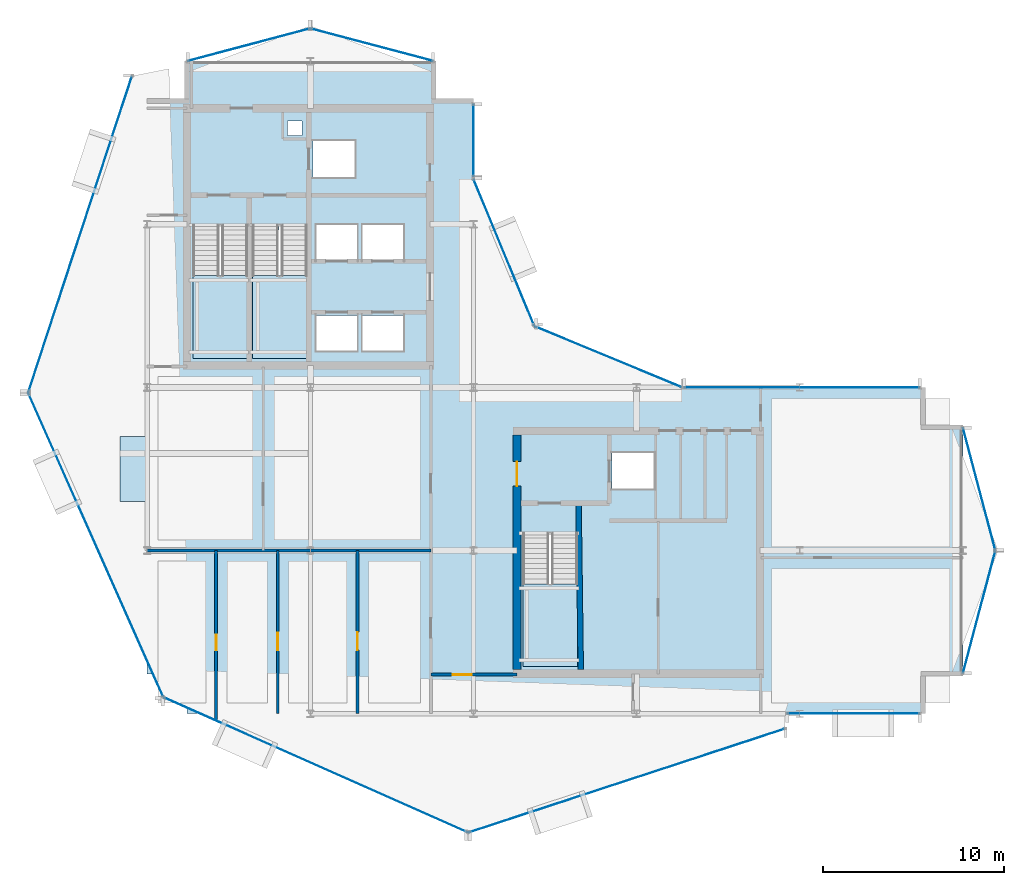
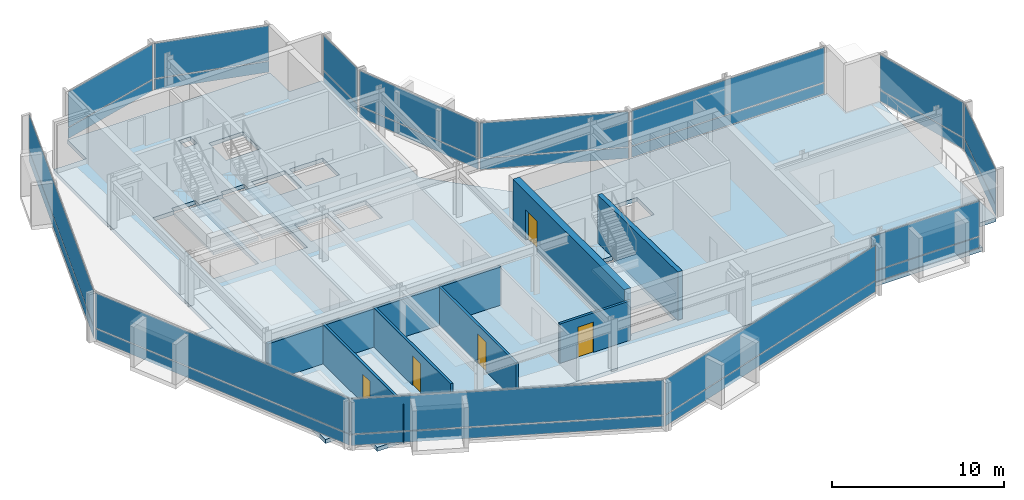
# One storey, part 19 of 27: 26 plates, 7 walls, 5 doors, 5 slabs, 5 openings, 16 elements without a shape of their own.
"""IFC4 building model written with IfcOpenShell, lengths in metres."""

from ifc_helpers import new_model, si_unit, direction, frame, frame_2d, origin, origin_2d, place, context, subcontext, project, spatial, polyline, rectangle, outline, extrude, material, layer, layer_set, type_object, element, fill, aggregate, save


model = new_model("IFC4")

# Units and contexts
model_context = context("Model", 3, precision=1e-05, world=origin(), true_north=direction((0.0, 1.0)))
body_context = subcontext(model_context, "Body", "Model", "MODEL_VIEW")
ifc_project = project(units=[si_unit("LENGTHUNIT", "METRE"), si_unit("AREAUNIT", "SQUARE_METRE"), si_unit("VOLUMEUNIT", "CUBIC_METRE"), si_unit("PLANEANGLEUNIT", "RADIAN"), si_unit("MASSUNIT", "GRAM", prefix="KILO")], contexts=[model_context])

# Site, building, storey
site_placement = place(None, origin())
site = spatial("IfcSite", under=ifc_project, at=site_placement, CompositionType="ELEMENT")
building_placement = place(site_placement, origin())
building = spatial("IfcBuilding", under=site, at=building_placement, Name="Solvaryn Broadcast Tower", CompositionType="ELEMENT")
storey_placement = place(building_placement, frame((0.0, 0.0, 224.699951171875)))
storey = spatial("IfcBuildingStorey", under=building, at=storey_placement, Name="L56", CompositionType="ELEMENT", Elevation=224.699951171875)

# Curtain wall, plates
ifc_material_1 = material(Name="Aluminium and Terracotta Unitised Curtain Wall", Category="masonry")
ifc_layer_1 = layer(ifc_material_1, 0.199951171875)
ifc_layer_set_1 = layer_set([ifc_layer_1], Name="CW-SYS2-LOWMID")
curtain_wall_type = type_object("IfcCurtainWallType", Name="CW-SYS2-LOWMID", PredefinedType="NOTDEFINED", material=ifc_layer_set_1)
curtain_wall_1_placement = place(storey_placement, origin())
curtain_wall_1 = element("IfcCurtainWall", 1, at=curtain_wall_1_placement, inside=storey, type_object=curtain_wall_type, Name="L56 Curtain Wall DR1", PredefinedType="NOTDEFINED")
ifc_material_2 = material(Name="Kiln-Fired Architectural Terracotta Spandrel", Category="masonry")
ifc_layer_2 = layer(ifc_material_2, 0.048095703125)
ifc_layer_set_2 = layer_set([ifc_layer_2], Name="CW-PNL-TERRACOTTA")
plate_type = type_object("IfcPlateType", Name="CW-PNL-TERRACOTTA", PredefinedType="CURTAIN_PANEL", material=ifc_layer_set_2)
plate_1_placement = place(storey_placement, frame((5.298095703125, 35.444091796875, 0.06005859375), z_axis=(0.0, 0.0, 1.0), x_axis=(-0.311558717623, -0.950226902099, 0.0)))
plate_1 = element("IfcPlate", 2, at=plate_1_placement, type_object=plate_type, Name="CWS2 panel 1.1", PredefinedType="CURTAIN_PANEL", context=body_context, shape_type="SweptSolid", body=[
    extrude(rectangle(XDim=18.271484375, YDim=0.028076171875, at=origin_2d()), origin(), (0.0, 0.0, 1.0), 0.760009765625),
])
plate_2_placement = place(storey_placement, frame((5.298095703125, 35.444091796875, 0.880126953125), z_axis=(0.0, 0.0, 1.0), x_axis=(-0.311558717623, -0.950226902099, 0.0)))
plate_2 = element("IfcPlate", 3, at=plate_2_placement, type_object=plate_type, Name="CWS2 panel 1.2", PredefinedType="CURTAIN_PANEL", context=body_context, shape_type="SweptSolid", body=[
    extrude(rectangle(XDim=18.271484375, YDim=0.028076171875, at=origin_2d()), origin(), (0.0, 0.0, 1.0), 2.47998046875),
])
aggregate(curtain_wall_1, [plate_1, plate_2])

curtain_wall_2_placement = place(storey_placement, origin())
curtain_wall_2 = element("IfcCurtainWall", 4, at=curtain_wall_2_placement, inside=storey, type_object=curtain_wall_type, Name="L56 Curtain Wall DR2", PredefinedType="NOTDEFINED")
plate_3_placement = place(storey_placement, frame((6.16552734375, 18.302001953125, 0.06005859375), z_axis=(0.0, 0.0, 1.0), x_axis=(0.405901337237, -0.913916902365, 0.0)))
plate_3 = element("IfcPlate", 5, at=plate_3_placement, type_object=plate_type, Name="CWS2 panel 1.1", PredefinedType="CURTAIN_PANEL", context=body_context, shape_type="SweptSolid", body=[
    extrude(rectangle(XDim=18.271240234375, YDim=0.028076171875, at=origin_2d()), origin(), (0.0, 0.0, 1.0), 0.760009765625),
])
plate_4_placement = place(storey_placement, frame((6.16552734375, 18.302001953125, 0.880126953125), z_axis=(0.0, 0.0, 1.0), x_axis=(0.405901337237, -0.913916902365, 0.0)))
plate_4 = element("IfcPlate", 6, at=plate_4_placement, type_object=plate_type, Name="CWS2 panel 1.2", PredefinedType="CURTAIN_PANEL", context=body_context, shape_type="SweptSolid", body=[
    extrude(rectangle(XDim=18.271240234375, YDim=0.028076171875, at=origin_2d()), origin(), (0.0, 0.0, 1.0), 2.47998046875),
])
aggregate(curtain_wall_2, [plate_3, plate_4])

curtain_wall_3_placement = place(storey_placement, origin())
curtain_wall_3 = element("IfcCurtainWall", 7, at=curtain_wall_3_placement, inside=storey, type_object=curtain_wall_type, Name="L56 Curtain Wall DR3", PredefinedType="NOTDEFINED")
plate_5_placement = place(storey_placement, frame((18.302001953125, 6.16552734375, 0.06005859375), z_axis=(0.0, 0.0, 1.0), x_axis=(0.913916902365, -0.405901337237, 0.0)))
plate_5 = element("IfcPlate", 8, at=plate_5_placement, type_object=plate_type, Name="CWS2 panel 1.1", PredefinedType="CURTAIN_PANEL", context=body_context, shape_type="SweptSolid", body=[
    extrude(rectangle(XDim=18.271240234375, YDim=0.028076171875, at=origin_2d()), origin(), (0.0, 0.0, 1.0), 0.760009765625),
])
plate_6_placement = place(storey_placement, frame((18.302001953125, 6.16552734375, 0.880126953125), z_axis=(0.0, 0.0, 1.0), x_axis=(0.913916902365, -0.405901337237, 0.0)))
plate_6 = element("IfcPlate", 9, at=plate_6_placement, type_object=plate_type, Name="CWS2 panel 1.2", PredefinedType="CURTAIN_PANEL", context=body_context, shape_type="SweptSolid", body=[
    extrude(rectangle(XDim=18.271240234375, YDim=0.028076171875, at=origin_2d()), origin(), (0.0, 0.0, 1.0), 2.47998046875),
])
aggregate(curtain_wall_3, [plate_5, plate_6])

curtain_wall_4_placement = place(storey_placement, origin())
curtain_wall_4 = element("IfcCurtainWall", 10, at=curtain_wall_4_placement, inside=storey, type_object=curtain_wall_type, Name="L56 Curtain Wall DR4", PredefinedType="NOTDEFINED")
plate_7_placement = place(storey_placement, frame((35.444091796875, 5.298095703125, 0.06005859375), z_axis=(0.0, 0.0, 1.0), x_axis=(0.950226902099, 0.311558717623, 0.0)))
plate_7 = element("IfcPlate", 11, at=plate_7_placement, type_object=plate_type, Name="CWS2 panel 1.1", PredefinedType="CURTAIN_PANEL", context=body_context, shape_type="SweptSolid", body=[
    extrude(rectangle(XDim=18.271484375, YDim=0.028076171875, at=origin_2d()), origin(), (0.0, 0.0, 1.0), 0.760009765625),
])
plate_8_placement = place(storey_placement, frame((35.444091796875, 5.298095703125, 0.880126953125), z_axis=(0.0, 0.0, 1.0), x_axis=(0.950226902099, 0.311558717623, 0.0)))
plate_8 = element("IfcPlate", 12, at=plate_8_placement, type_object=plate_type, Name="CWS2 panel 1.2", PredefinedType="CURTAIN_PANEL", context=body_context, shape_type="SweptSolid", body=[
    extrude(rectangle(XDim=18.271484375, YDim=0.028076171875, at=origin_2d()), origin(), (0.0, 0.0, 1.0), 2.47998046875),
])
aggregate(curtain_wall_4, [plate_7, plate_8])

curtain_wall_5_placement = place(storey_placement, origin())
curtain_wall_5 = element("IfcCurtainWall", 13, at=curtain_wall_5_placement, inside=storey, type_object=curtain_wall_type, Name="L56 Curtain Wall IV", PredefinedType="NOTDEFINED")
plate_9_placement = place(storey_placement, frame((27.0, 40.625, 0.06005859375), z_axis=(0.0, 0.0, 1.0), x_axis=(0.0, -1.0, 0.0)))
plate_9 = element("IfcPlate", 14, at=plate_9_placement, type_object=plate_type, Name="CWS2 panel 1.1", PredefinedType="CURTAIN_PANEL", context=body_context, shape_type="SweptSolid", body=[
    extrude(rectangle(XDim=3.929931640625, YDim=0.028076171875, at=origin_2d()), origin(), (0.0, 0.0, 1.0), 0.760009765625),
])
plate_10_placement = place(storey_placement, frame((27.0, 40.625, 0.880126953125), z_axis=(0.0, 0.0, 1.0), x_axis=(0.0, -1.0, 0.0)))
plate_10 = element("IfcPlate", 15, at=plate_10_placement, type_object=plate_type, Name="CWS2 panel 1.2", PredefinedType="CURTAIN_PANEL", context=body_context, shape_type="SweptSolid", body=[
    extrude(rectangle(XDim=3.929931640625, YDim=0.028076171875, at=origin_2d()), origin(), (0.0, 0.0, 1.0), 2.47998046875),
])
aggregate(curtain_wall_5, [plate_9, plate_10])

curtain_wall_6_placement = place(storey_placement, origin())
curtain_wall_6 = element("IfcCurtainWall", 16, at=curtain_wall_6_placement, inside=storey, type_object=curtain_wall_type, Name="L56 Curtain Wall CN1", PredefinedType="NOTDEFINED")
plate_11_placement = place(storey_placement, frame((34.43408203125, 28.68408203125, 0.06005859375), z_axis=(0.0, 0.0, 1.0), x_axis=(-0.923894983957, 0.382646127145, 0.0)))
plate_11 = element("IfcPlate", 17, at=plate_11_placement, type_object=plate_type, Name="CWS2 panel 1.1", PredefinedType="CURTAIN_PANEL", context=body_context, shape_type="SweptSolid", body=[
    extrude(rectangle(XDim=8.681884765625, YDim=0.028076171875, at=origin_2d()), origin(), (0.0, 0.0, 1.0), 0.760009765625),
])
plate_12_placement = place(storey_placement, frame((34.43408203125, 28.68408203125, 0.880126953125), z_axis=(0.0, 0.0, 1.0), x_axis=(-0.923894983957, 0.382646127145, 0.0)))
plate_12 = element("IfcPlate", 18, at=plate_12_placement, type_object=plate_type, Name="CWS2 panel 1.2", PredefinedType="CURTAIN_PANEL", context=body_context, shape_type="SweptSolid", body=[
    extrude(rectangle(XDim=8.681884765625, YDim=0.028076171875, at=origin_2d()), origin(), (0.0, 0.0, 1.0), 2.47998046875),
])
aggregate(curtain_wall_6, [plate_11, plate_12])

curtain_wall_7_placement = place(storey_placement, origin())
curtain_wall_7 = element("IfcCurtainWall", 19, at=curtain_wall_7_placement, inside=storey, type_object=curtain_wall_type, Name="L56 Curtain Wall CN2", PredefinedType="NOTDEFINED")
plate_13_placement = place(storey_placement, frame((28.68408203125, 34.43408203125, 0.06005859375), z_axis=(0.0, 0.0, 1.0), x_axis=(-0.382646127145, 0.923894983957, 0.0)))
plate_13 = element("IfcPlate", 20, at=plate_13_placement, type_object=plate_type, Name="CWS2 panel 1.1", PredefinedType="CURTAIN_PANEL", context=body_context, shape_type="SweptSolid", body=[
    extrude(rectangle(XDim=8.681884765625, YDim=0.028076171875, at=origin_2d()), origin(), (0.0, 0.0, 1.0), 0.760009765625),
])
plate_14_placement = place(storey_placement, frame((28.68408203125, 34.43408203125, 0.880126953125), z_axis=(0.0, 0.0, 1.0), x_axis=(-0.382646127145, 0.923894983957, 0.0)))
plate_14 = element("IfcPlate", 21, at=plate_14_placement, type_object=plate_type, Name="CWS2 panel 1.2", PredefinedType="CURTAIN_PANEL", context=body_context, shape_type="SweptSolid", body=[
    extrude(rectangle(XDim=8.681884765625, YDim=0.028076171875, at=origin_2d()), origin(), (0.0, 0.0, 1.0), 2.47998046875),
])
aggregate(curtain_wall_7, [plate_13, plate_14])

curtain_wall_8_placement = place(storey_placement, origin())
curtain_wall_8 = element("IfcCurtainWall", 22, at=curtain_wall_8_placement, inside=storey, type_object=curtain_wall_type, Name="L56 Curtain Wall S2", PredefinedType="NOTDEFINED")
plate_15_placement = place(storey_placement, frame((47.966064453125, 9.0, 0.06005859375), z_axis=(0.0, 0.0, 1.0), x_axis=(1.0, 0.0, 0.0)))
plate_15 = element("IfcPlate", 23, at=plate_15_placement, type_object=plate_type, Name="CWS2 panel 1.1", PredefinedType="CURTAIN_PANEL", context=body_context, shape_type="SweptSolid", body=[
    extrude(rectangle(XDim=7.248046875, YDim=0.028076171875, at=origin_2d()), origin(), (0.0, 0.0, 1.0), 0.760009765625),
])
plate_16_placement = place(storey_placement, frame((47.966064453125, 9.0, 0.880126953125), z_axis=(0.0, 0.0, 1.0), x_axis=(1.0, 0.0, 0.0)))
plate_16 = element("IfcPlate", 24, at=plate_16_placement, type_object=plate_type, Name="CWS2 panel 1.2", PredefinedType="CURTAIN_PANEL", context=body_context, shape_type="SweptSolid", body=[
    extrude(rectangle(XDim=7.248046875, YDim=0.028076171875, at=origin_2d()), origin(), (0.0, 0.0, 1.0), 2.47998046875),
])
aggregate(curtain_wall_8, [plate_15, plate_16])

curtain_wall_9_placement = place(storey_placement, origin())
curtain_wall_9 = element("IfcCurtainWall", 25, at=curtain_wall_9_placement, inside=storey, type_object=curtain_wall_type, Name="L56 Curtain Wall NT1", PredefinedType="NOTDEFINED")
plate_17_placement = place(storey_placement, frame((21.39990234375, 45.89990234375, 0.06005859375), z_axis=(0.0, 0.0, 1.0), x_axis=(-0.966705227863, 0.25589256031, 0.0)))
plate_17 = element("IfcPlate", 26, at=plate_17_placement, type_object=plate_type, Name="CWS2 panel 1.1", PredefinedType="CURTAIN_PANEL", context=body_context, shape_type="SweptSolid", body=[
    extrude(rectangle(XDim=6.914306640625, YDim=0.028076171875, at=origin_2d()), origin(), (0.0, 0.0, 1.0), 0.760009765625),
])
plate_18_placement = place(storey_placement, frame((21.39990234375, 45.89990234375, 0.880126953125), z_axis=(0.0, 0.0, 1.0), x_axis=(-0.966705227863, 0.25589256031, 0.0)))
plate_18 = element("IfcPlate", 27, at=plate_18_placement, type_object=plate_type, Name="CWS2 panel 1.2", PredefinedType="CURTAIN_PANEL", context=body_context, shape_type="SweptSolid", body=[
    extrude(rectangle(XDim=6.914306640625, YDim=0.028076171875, at=origin_2d()), origin(), (0.0, 0.0, 1.0), 2.47998046875),
])
aggregate(curtain_wall_9, [plate_17, plate_18])

curtain_wall_10_placement = place(storey_placement, origin())
curtain_wall_10 = element("IfcCurtainWall", 28, at=curtain_wall_10_placement, inside=storey, type_object=curtain_wall_type, Name="L56 Curtain Wall NT2", PredefinedType="NOTDEFINED")
plate_19_placement = place(storey_placement, frame((14.60009765625, 45.89990234375, 0.06005859375), z_axis=(0.0, 0.0, 1.0), x_axis=(-0.966705227863, -0.25589256031, 0.0)))
plate_19 = element("IfcPlate", 29, at=plate_19_placement, type_object=plate_type, Name="CWS2 panel 1.1", PredefinedType="CURTAIN_PANEL", context=body_context, shape_type="SweptSolid", body=[
    extrude(rectangle(XDim=6.914306640625, YDim=0.028076171875, at=origin_2d()), origin(), (0.0, 0.0, 1.0), 0.760009765625),
])
plate_20_placement = place(storey_placement, frame((14.60009765625, 45.89990234375, 0.880126953125), z_axis=(0.0, 0.0, 1.0), x_axis=(-0.966705227863, -0.25589256031, 0.0)))
plate_20 = element("IfcPlate", 30, at=plate_20_placement, type_object=plate_type, Name="CWS2 panel 1.2", PredefinedType="CURTAIN_PANEL", context=body_context, shape_type="SweptSolid", body=[
    extrude(rectangle(XDim=6.914306640625, YDim=0.028076171875, at=origin_2d()), origin(), (0.0, 0.0, 1.0), 2.47998046875),
])
aggregate(curtain_wall_10, [plate_19, plate_20])

curtain_wall_11_placement = place(storey_placement, origin())
curtain_wall_11 = element("IfcCurtainWall", 31, at=curtain_wall_11_placement, inside=storey, type_object=curtain_wall_type, Name="L56 Curtain Wall ET1", PredefinedType="NOTDEFINED")
plate_21_placement = place(storey_placement, frame((54.89990234375, 21.39990234375, 0.06005859375), z_axis=(0.0, 0.0, 1.0), x_axis=(0.25589256031, -0.966705227863, 0.0)))
plate_21 = element("IfcPlate", 32, at=plate_21_placement, type_object=plate_type, Name="CWS2 panel 1.1", PredefinedType="CURTAIN_PANEL", context=body_context, shape_type="SweptSolid", body=[
    extrude(rectangle(XDim=6.914306640625, YDim=0.028076171875, at=origin_2d()), origin(), (0.0, 0.0, 1.0), 0.760009765625),
])
plate_22_placement = place(storey_placement, frame((54.89990234375, 21.39990234375, 0.880126953125), z_axis=(0.0, 0.0, 1.0), x_axis=(0.25589256031, -0.966705227863, 0.0)))
plate_22 = element("IfcPlate", 33, at=plate_22_placement, type_object=plate_type, Name="CWS2 panel 1.2", PredefinedType="CURTAIN_PANEL", context=body_context, shape_type="SweptSolid", body=[
    extrude(rectangle(XDim=6.914306640625, YDim=0.028076171875, at=origin_2d()), origin(), (0.0, 0.0, 1.0), 2.47998046875),
])
aggregate(curtain_wall_11, [plate_21, plate_22])

curtain_wall_12_placement = place(storey_placement, origin())
curtain_wall_12 = element("IfcCurtainWall", 34, at=curtain_wall_12_placement, inside=storey, type_object=curtain_wall_type, Name="L56 Curtain Wall ET2", PredefinedType="NOTDEFINED")
plate_23_placement = place(storey_placement, frame((54.89990234375, 14.60009765625, 0.06005859375), z_axis=(0.0, 0.0, 1.0), x_axis=(-0.25589256031, -0.966705227863, 0.0)))
plate_23 = element("IfcPlate", 35, at=plate_23_placement, type_object=plate_type, Name="CWS2 panel 1.1", PredefinedType="CURTAIN_PANEL", context=body_context, shape_type="SweptSolid", body=[
    extrude(rectangle(XDim=6.914306640625, YDim=0.028076171875, at=origin_2d()), origin(), (0.0, 0.0, 1.0), 0.760009765625),
])
plate_24_placement = place(storey_placement, frame((54.89990234375, 14.60009765625, 0.880126953125), z_axis=(0.0, 0.0, 1.0), x_axis=(-0.25589256031, -0.966705227863, 0.0)))
plate_24 = element("IfcPlate", 36, at=plate_24_placement, type_object=plate_type, Name="CWS2 panel 1.2", PredefinedType="CURTAIN_PANEL", context=body_context, shape_type="SweptSolid", body=[
    extrude(rectangle(XDim=6.914306640625, YDim=0.028076171875, at=origin_2d()), origin(), (0.0, 0.0, 1.0), 2.47998046875),
])
aggregate(curtain_wall_12, [plate_23, plate_24])

curtain_wall_13_placement = place(storey_placement, origin())
curtain_wall_13 = element("IfcCurtainWall", 37, at=curtain_wall_13_placement, inside=storey, type_object=curtain_wall_type, Name="L56 Curtain Wall IH", PredefinedType="NOTDEFINED")
plate_25_placement = place(storey_placement, frame((45.125, 27.0, 0.06005859375), z_axis=(0.0, 0.0, 1.0), x_axis=(1.0, 0.0, 0.0)))
plate_25 = element("IfcPlate", 38, at=plate_25_placement, type_object=plate_type, Name="CWS2 panel 1.1", PredefinedType="CURTAIN_PANEL", context=body_context, shape_type="SweptSolid", body=[
    extrude(rectangle(XDim=12.929931640625, YDim=0.028076171875, at=origin_2d()), origin(), (0.0, 0.0, 1.0), 0.760009765625),
])
plate_26_placement = place(storey_placement, frame((45.125, 27.0, 0.880126953125), z_axis=(0.0, 0.0, 1.0), x_axis=(1.0, 0.0, 0.0)))
plate_26 = element("IfcPlate", 39, at=plate_26_placement, type_object=plate_type, Name="CWS2 panel 1.2", PredefinedType="CURTAIN_PANEL", context=body_context, shape_type="SweptSolid", body=[
    extrude(rectangle(XDim=12.929931640625, YDim=0.028076171875, at=origin_2d()), origin(), (0.0, 0.0, 1.0), 2.47998046875),
])
aggregate(curtain_wall_13, [plate_25, plate_26])

# Slab
ifc_material_3 = material(Name="Concrete f'c 60 MPa", Category="concrete")
ifc_layer_3 = layer(ifc_material_3, 0.2099609375)
ifc_layer_set_3 = layer_set([ifc_layer_3], Name="SL-BAYBOX-210")
slab_type_1 = type_object("IfcSlabType", Name="SL-BAYBOX-210", PredefinedType="FLOOR", material=ifc_layer_set_3)
slab_1_placement = place(storey_placement, frame((0.0, 0.0, -0.2099609375)))
element("IfcSlab", 40, at=slab_1_placement, inside=storey, type_object=slab_type_1, Name="L56 Projecting Bay-Box Slab 1", PredefinedType="FLOOR", context=body_context, shape_type="SweptSolid", body=[
    extrude(outline(polyline([(7.5, 20.699951171875), (9.0, 20.699951171875), (9.0, 24.300048828125), (7.5, 24.300048828125), (7.5, 20.699951171875)])), origin(), (0.0, 0.0, 1.0), 0.2099609375),
])

# Stair, slab
ifc_material_4 = material(Name="Concrete f'c 60 MPa", Category="concrete")
stair_type = type_object("IfcStairType", Name="ST-CORE", PredefinedType="HALF_TURN_STAIR", material=ifc_material_4)
stair_1_placement = place(storey_placement, origin())
stair_1 = element("IfcStair", 41, at=stair_1_placement, inside=storey, type_object=stair_type, Name="L56 ST1", PredefinedType="HALF_TURN_STAIR")
ifc_material_5 = material(Name="Concrete f'c 60 MPa", Category="concrete")
ifc_layer_4 = layer(ifc_material_5, 0.199951171875)
ifc_layer_set_4 = layer_set([ifc_layer_4], Name="SL-LANDING-200")
slab_type_2 = type_object("IfcSlabType", Name="SL-LANDING-200", PredefinedType="LANDING", material=ifc_layer_set_4)
slab_2_placement = place(storey_placement, frame((0.0, 0.0, 1.650146484375)))
slab_2 = element("IfcSlab", 42, at=slab_2_placement, type_object=slab_type_2, Name="ST1 landing 1", PredefinedType="LANDING", context=body_context, shape_type="SweptSolid", body=[
    extrude(outline(polyline([(11.52001953125, 33.159912109375), (11.52001953125, 28.60009765625), (14.550048828125, 28.60009765625), (14.550048828125, 33.159912109375), (11.52001953125, 33.159912109375)])), origin(), (0.0, 0.0, 1.0), 0.199951171875),
])
aggregate(stair_1, [slab_2])

stair_2_placement = place(storey_placement, origin())
stair_2 = element("IfcStair", 43, at=stair_2_placement, inside=storey, type_object=stair_type, Name="L56 ST2", PredefinedType="HALF_TURN_STAIR")
slab_3_placement = place(storey_placement, frame((0.0, 0.0, 1.650146484375)))
slab_3 = element("IfcSlab", 44, at=slab_3_placement, type_object=slab_type_2, Name="ST2 landing 1", PredefinedType="LANDING", context=body_context, shape_type="SweptSolid", body=[
    extrude(outline(polyline([(14.800048828125, 33.159912109375), (14.800048828125, 28.60009765625), (17.830078125, 28.60009765625), (17.830078125, 33.159912109375), (14.800048828125, 33.159912109375)])), origin(), (0.0, 0.0, 1.0), 0.199951171875),
])
aggregate(stair_2, [slab_3])

stair_3_placement = place(storey_placement, origin())
stair_3 = element("IfcStair", 45, at=stair_3_placement, inside=storey, type_object=stair_type, Name="L56 ST3", PredefinedType="HALF_TURN_STAIR")
slab_4_placement = place(storey_placement, frame((0.0, 0.0, 1.650146484375)))
slab_4 = element("IfcSlab", 46, at=slab_4_placement, type_object=slab_type_2, Name="ST3 landing 1", PredefinedType="LANDING", context=body_context, shape_type="SweptSolid", body=[
    extrude(outline(polyline([(29.719970703125, 16.159912109375), (29.719970703125, 11.60009765625), (32.75, 11.60009765625), (32.75, 16.159912109375), (29.719970703125, 16.159912109375)])), origin(), (0.0, 0.0, 1.0), 0.199951171875),
])
aggregate(stair_3, [slab_4])

# Slab
ifc_material_6 = material(Name="Concrete f'c 60 MPa", Category="concrete")
ifc_layer_5 = layer(ifc_material_6, 0.280029296875)
ifc_layer_set_5 = layer_set([ifc_layer_5], Name="SL-TWR-280")
slab_type_3 = type_object("IfcSlabType", Name="SL-TWR-280", PredefinedType="FLOOR", material=ifc_layer_set_5)
slab_5_placement = place(storey_placement, frame((0.0, 0.0, -0.280029296875)))
element("IfcSlab", 47, at=slab_5_placement, inside=storey, type_object=slab_type_3, Name="L56 Structural Floor Slab", PredefinedType="FLOOR", context=body_context, shape_type="SweptSolid", body=[
    extrude(outline(polyline([(11.199951171875, 9.0), (51.800048828125, 9.0), (51.800048828125, 11.199951171875), (54.0, 11.199951171875), (54.0, 24.800048828125), (51.800048828125, 24.800048828125), (51.800048828125, 27.0), (31.5, 27.0), (27.0, 31.5), (27.0, 42.800048828125), (24.800048828125, 42.800048828125), (24.800048828125, 45.0), (11.199951171875, 45.0), (11.199951171875, 42.800048828125), (9.0, 42.800048828125), (9.0, 11.199951171875), (11.199951171875, 11.199951171875), (11.199951171875, 9.0)]), holes=[polyline([(11.52001953125, 28.60009765625), (14.550048828125, 28.60009765625), (14.550048828125, 35.9599609375), (12.97998046875, 35.9599609375), (12.97998046875, 35.679931640625), (11.52001953125, 35.679931640625), (11.52001953125, 28.60009765625)]), polyline([(14.800048828125, 28.60009765625), (17.830078125, 28.60009765625), (17.830078125, 35.9599609375), (16.260009765625, 35.9599609375), (16.260009765625, 35.679931640625), (14.800048828125, 35.679931640625), (14.800048828125, 28.60009765625)]), polyline([(29.719970703125, 11.60009765625), (32.75, 11.60009765625), (32.75, 18.9599609375), (31.179931640625, 18.9599609375), (31.179931640625, 18.679931640625), (29.719970703125, 18.679931640625), (29.719970703125, 11.60009765625)]), polyline([(18.14990234375, 38.60009765625), (20.449951171875, 38.60009765625), (20.449951171875, 40.60009765625), (18.14990234375, 40.60009765625), (18.14990234375, 38.60009765625)]), polyline([(18.324951171875, 29.02490234375), (20.574951171875, 29.02490234375), (20.574951171875, 30.97509765625), (18.324951171875, 30.97509765625), (18.324951171875, 29.02490234375)]), polyline([(20.875, 29.02490234375), (23.125, 29.02490234375), (23.125, 30.97509765625), (20.875, 30.97509765625), (20.875, 29.02490234375)]), polyline([(18.324951171875, 34.02490234375), (20.574951171875, 34.02490234375), (20.574951171875, 35.97509765625), (18.324951171875, 35.97509765625), (18.324951171875, 34.02490234375)]), polyline([(20.875, 34.02490234375), (23.125, 34.02490234375), (23.125, 35.97509765625), (20.875, 35.97509765625), (20.875, 34.02490234375)]), polyline([(34.64990234375, 21.39990234375), (36.949951171875, 21.39990234375), (36.949951171875, 23.39990234375), (34.64990234375, 23.39990234375), (34.64990234375, 21.39990234375)]), polyline([(16.75, 40.89990234375), (17.550048828125, 40.89990234375), (17.550048828125, 41.699951171875), (16.75, 41.699951171875), (16.75, 40.89990234375)])]), origin(), (0.0, 0.0, 1.0), 0.280029296875),
])

# Wall, opening, door
ifc_material_7 = material(Name="Concrete f'c 70 MPa", Category="concrete")
ifc_layer_6 = layer(ifc_material_7, 0.449951171875)
ifc_layer_set_6 = layer_set([ifc_layer_6], Name="CW-SHEAR-450")
wall_type_1 = type_object("IfcWallType", Name="CW-SHEAR-450", PredefinedType="SHEAR", material=ifc_layer_set_6)
wall_1_placement = place(storey_placement, frame((29.39990234375, 24.375, 0.0), z_axis=(0.0, 0.0, 1.0), x_axis=(0.0, -1.0, 0.0)))
wall_1 = element("IfcWall", 48, at=wall_1_placement, inside=storey, type_object=wall_type_1, Name="L56 East Core West Shear Wall", PredefinedType="SHEAR", context=body_context, shape_type="SweptSolid", body=[
    extrude(rectangle(XDim=12.949951171875, YDim=0.449951171875, at=frame_2d((6.47509765625, 0.0))), origin(), (0.0, 0.0, 1.0), 3.420166015625),
])
opening_1_placement = place(wall_1_placement, frame((1.47509765625, 0.0, 0.0)))
opening_1 = element("IfcOpeningElement", 49, at=opening_1_placement, cuts=wall_1, Name="Opening FD90B", PredefinedType="OPENING", context=body_context, shape_type="SweptSolid", body=[
    extrude(rectangle(XDim=1.35009765625, YDim=2.14990234375, at=frame_2d((0.675048828125, 1.074951171875))), frame((0.0, 0.235107421875, 0.0), z_axis=(0.0, -1.0, 0.0), x_axis=(1.0, 0.0, 0.0)), (0.0, 0.0, 1.0), 0.469970703125),
])
ifc_material_8 = material(Name="Flush Acoustic Steel and Timber Door Assembly", Category="steel")
door_type_1 = type_object("IfcDoorType", Name="FD90-LOBBY-1350X2150", OperationType="NOTDEFINED", PredefinedType="DOOR", material=ifc_material_8)
door_1_placement = place(opening_1_placement, origin())
door_1 = element("IfcDoor", 50, at=door_1_placement, inside=storey, type_object=door_type_1, Name="L56 East FSAE Lobby Door", OperationType="SINGLE_SWING_RIGHT", OverallHeight=2.14990234375, OverallWidth=1.35009765625, PredefinedType="DOOR", context=body_context, shape_type="SweptSolid", body=[
    extrude(rectangle(XDim=1.35009765625, YDim=2.14990234375, at=frame_2d((0.675048828125, 1.074951171875))), frame((0.0, 0.02490234375, 0.0), z_axis=(0.0, -1.0, 0.0), x_axis=(1.0, 0.0, 0.0)), (0.0, 0.0, 1.0), 0.050048828125),
])
fill(opening_1, door_1)

ifc_material_9 = material(Name="Metal-Stud Gypsum Office Partition")
ifc_layer_7 = layer(ifc_material_9, 0.159912109375)
ifc_layer_set_7 = layer_set([ifc_layer_7], Name="IW-PART-160")
wall_type_2 = type_object("IfcWallType", Name="IW-PART-160", PredefinedType="PARTITIONING", material=ifc_layer_set_7)
wall_2_placement = place(storey_placement, frame((12.800048828125, 8.60888671875, 0.0), z_axis=(0.0, 0.0, 1.0), x_axis=(0.0, 1.0, 0.0)))
wall_2 = element("IfcWall", 51, at=wall_2_placement, inside=storey, type_object=wall_type_2, Name="L56 Interior Partition IW-L56-SWS-V1", PredefinedType="PARTITIONING", context=body_context, shape_type="SweptSolid", body=[
    extrude(rectangle(XDim=9.39111328125, YDim=0.159912109375, at=frame_2d((4.695556640625, 0.0))), origin(), (0.0, 0.0, 1.0), 2.7890625),
])
opening_2_placement = place(wall_2_placement, frame((3.89111328125, 0.0, 0.0)))
opening_2 = element("IfcOpeningElement", 52, at=opening_2_placement, cuts=wall_2, Name="Opening ID07", PredefinedType="OPENING", context=body_context, shape_type="SweptSolid", body=[
    extrude(rectangle(XDim=0.860107421875, YDim=2.050048828125, at=frame_2d((0.43017578125, 1.02490234375))), frame((0.0, 0.090087890625, 0.0), z_axis=(0.0, -1.0, 0.0), x_axis=(1.0, 0.0, 0.0)), (0.0, 0.0, 1.0), 0.179931640625),
])
ifc_material_10 = material(Name="Flush Acoustic Steel and Timber Door Assembly", Category="steel")
door_type_2 = type_object("IfcDoorType", Name="ID-07-860X2050", OperationType="NOTDEFINED", PredefinedType="DOOR", material=ifc_material_10)
door_2_placement = place(opening_2_placement, origin())
door_2 = element("IfcDoor", 53, at=door_2_placement, inside=storey, type_object=door_type_2, Name="L56 Door DR-L56-SWS-1", OperationType="SINGLE_SWING_LEFT", OverallHeight=2.050048828125, OverallWidth=0.860107421875, PredefinedType="DOOR", context=body_context, shape_type="SweptSolid", body=[
    extrude(rectangle(XDim=0.860107421875, YDim=2.050048828125, at=frame_2d((0.43017578125, 1.02490234375))), frame((0.0, 0.02490234375, 0.0), z_axis=(0.0, -1.0, 0.0), x_axis=(1.0, 0.0, 0.0)), (0.0, 0.0, 1.0), 0.050048828125),
])
fill(opening_2, door_2)

wall_3_placement = place(storey_placement, frame((16.199951171875, 9.0, 0.0), z_axis=(0.0, 0.0, 1.0), x_axis=(0.0, 1.0, 0.0)))
wall_3 = element("IfcWall", 54, at=wall_3_placement, inside=storey, type_object=wall_type_2, Name="L56 Interior Partition IW-L56-SWS-V2", PredefinedType="PARTITIONING", context=body_context, shape_type="SweptSolid", body=[
    extrude(rectangle(XDim=9.0, YDim=0.159912109375, at=frame_2d((4.5, 0.0))), origin(), (0.0, 0.0, 1.0), 2.7890625),
])
opening_3_placement = place(wall_3_placement, frame((3.5, 0.0, 0.0)))
opening_3 = element("IfcOpeningElement", 55, at=opening_3_placement, cuts=wall_3, Name="Opening ID01", PredefinedType="OPENING", context=body_context, shape_type="SweptSolid", body=[
    extrude(rectangle(XDim=0.949951171875, YDim=2.10009765625, at=frame_2d((0.47509765625, 1.050048828125))), frame((0.0, 0.090087890625, 0.0), z_axis=(0.0, -1.0, 0.0), x_axis=(1.0, 0.0, 0.0)), (0.0, 0.0, 1.0), 0.179931640625),
])
ifc_material_11 = material(Name="Flush Acoustic Steel and Timber Door Assembly", Category="steel")
door_type_3 = type_object("IfcDoorType", Name="ID-01-950X2100", OperationType="NOTDEFINED", PredefinedType="DOOR", material=ifc_material_11)
door_3_placement = place(opening_3_placement, origin())
door_3 = element("IfcDoor", 56, at=door_3_placement, inside=storey, type_object=door_type_3, Name="L56 Door DR-L56-SWS-2", OperationType="SINGLE_SWING_RIGHT", OverallHeight=2.10009765625, OverallWidth=0.949951171875, PredefinedType="DOOR", context=body_context, shape_type="SweptSolid", body=[
    extrude(rectangle(XDim=0.949951171875, YDim=2.10009765625, at=frame_2d((0.47509765625, 1.050048828125))), frame((0.0, 0.02490234375, 0.0), z_axis=(0.0, -1.0, 0.0), x_axis=(1.0, 0.0, 0.0)), (0.0, 0.0, 1.0), 0.050048828125),
])
fill(opening_3, door_3)

wall_4_placement = place(storey_placement, frame((20.60009765625, 9.0, 0.0), z_axis=(0.0, 0.0, 1.0), x_axis=(0.0, 1.0, 0.0)))
wall_4 = element("IfcWall", 57, at=wall_4_placement, inside=storey, type_object=wall_type_2, Name="L56 Interior Partition IW-L56-SWS-V3", PredefinedType="PARTITIONING", context=body_context, shape_type="SweptSolid", body=[
    extrude(rectangle(XDim=9.0, YDim=0.159912109375, at=frame_2d((4.5, 0.0))), origin(), (0.0, 0.0, 1.0), 2.70703125),
])
opening_4_placement = place(wall_4_placement, frame((3.5, 0.0, 0.0)))
opening_4 = element("IfcOpeningElement", 58, at=opening_4_placement, cuts=wall_4, Name="Opening ID02", PredefinedType="OPENING", context=body_context, shape_type="SweptSolid", body=[
    extrude(rectangle(XDim=1.0, YDim=2.10009765625, at=frame_2d((0.5, 1.050048828125))), frame((0.0, 0.090087890625, 0.0), z_axis=(0.0, -1.0, 0.0), x_axis=(1.0, 0.0, 0.0)), (0.0, 0.0, 1.0), 0.179931640625),
])
ifc_material_12 = material(Name="Flush Acoustic Steel and Timber Door Assembly", Category="steel")
door_type_4 = type_object("IfcDoorType", Name="ID-02-1000X2100", OperationType="NOTDEFINED", PredefinedType="DOOR", material=ifc_material_12)
door_4_placement = place(opening_4_placement, origin())
door_4 = element("IfcDoor", 59, at=door_4_placement, inside=storey, type_object=door_type_4, Name="L56 Door DR-L56-SWS-3", OperationType="SINGLE_SWING_LEFT", OverallHeight=2.10009765625, OverallWidth=1.0, PredefinedType="DOOR", context=body_context, shape_type="SweptSolid", body=[
    extrude(rectangle(XDim=1.0, YDim=2.10009765625, at=frame_2d((0.5, 1.050048828125))), frame((0.0, 0.02490234375, 0.0), z_axis=(0.0, -1.0, 0.0), x_axis=(1.0, 0.0, 0.0)), (0.0, 0.0, 1.0), 0.050048828125),
])
fill(opening_4, door_4)

wall_5_placement = place(storey_placement, frame((24.64990234375, 11.14990234375, 0.0), z_axis=(0.0, 0.0, 1.0), x_axis=(1.0, 0.0, 0.0)))
wall_5 = element("IfcWall", 60, at=wall_5_placement, inside=storey, type_object=wall_type_2, Name="L56 Interior Partition IW-L56-SC-N", PredefinedType="PARTITIONING", context=body_context, shape_type="SweptSolid", body=[
    extrude(rectangle(XDim=4.75, YDim=0.159912109375, at=frame_2d((2.375, 0.0))), origin(), (0.0, 0.0, 1.0), 2.7919921875),
])
opening_5_placement = place(wall_5_placement, frame((1.199951171875, 0.0, 0.0)))
opening_5 = element("IfcOpeningElement", 61, at=opening_5_placement, cuts=wall_5, Name="Opening ID03", PredefinedType="OPENING", context=body_context, shape_type="SweptSolid", body=[
    extrude(rectangle(XDim=1.050048828125, YDim=2.14990234375, at=frame_2d((0.52490234375, 1.074951171875))), frame((0.0, 0.090087890625, 0.0), z_axis=(0.0, -1.0, 0.0), x_axis=(1.0, 0.0, 0.0)), (0.0, 0.0, 1.0), 0.179931640625),
])
ifc_material_13 = material(Name="Flush Acoustic Steel and Timber Door Assembly", Category="steel")
door_type_5 = type_object("IfcDoorType", Name="ID-03-1050X2150", OperationType="NOTDEFINED", PredefinedType="DOOR", material=ifc_material_13)
door_5_placement = place(opening_5_placement, origin())
door_5 = element("IfcDoor", 62, at=door_5_placement, inside=storey, type_object=door_type_5, Name="L56 Door DR-L56-SC0", OperationType="SINGLE_SWING_RIGHT", OverallHeight=2.14990234375, OverallWidth=1.050048828125, PredefinedType="DOOR", context=body_context, shape_type="SweptSolid", body=[
    extrude(rectangle(XDim=1.050048828125, YDim=2.14990234375, at=frame_2d((0.52490234375, 1.074951171875))), frame((0.0, 0.02490234375, 0.0), z_axis=(0.0, -1.0, 0.0), x_axis=(1.0, 0.0, 0.0)), (0.0, 0.0, 1.0), 0.050048828125),
])
fill(opening_5, door_5)

# Walls
ifc_material_14 = material(Name="Acoustic Metal-Stud Gypsum Partition")
ifc_layer_8 = layer(ifc_material_14, 0.179931640625)
ifc_layer_set_8 = layer_set([ifc_layer_8], Name="IW-PART-180")
wall_type_3 = type_object("IfcWallType", Name="IW-PART-180", PredefinedType="PARTITIONING", material=ifc_layer_set_8)
wall_6_placement = place(storey_placement, frame((9.0, 18.0, 0.0), z_axis=(0.0, 0.0, 1.0), x_axis=(1.0, 0.0, 0.0)))
element("IfcWall", 63, at=wall_6_placement, inside=storey, type_object=wall_type_3, Name="L56 Interior Partition IW-L56-SW-HY", PredefinedType="PARTITIONING", context=body_context, shape_type="SweptSolid", body=[
    extrude(rectangle(XDim=15.64990234375, YDim=0.179931640625, at=frame_2d((7.824951171875, 0.0))), origin(), (0.0, 0.0, 1.0), 2.70703125),
])
ifc_material_15 = material(Name="Concrete f'c 70 MPa", Category="concrete")
ifc_layer_9 = layer(ifc_material_15, 0.300048828125)
ifc_layer_set_9 = layer_set([ifc_layer_9], Name="SW-SHAFT-300")
wall_type_4 = type_object("IfcWallType", Name="SW-SHAFT-300", PredefinedType="SHEAR", material=ifc_layer_set_9)
wall_7_placement = place(storey_placement, frame((32.919921875, 11.425048828125, 0.0), z_axis=(0.0, 0.0, 1.0), x_axis=(-0.013135638869, 0.999913723774, 0.0)))
element("IfcWall", 64, at=wall_7_placement, inside=storey, type_object=wall_type_4, Name="L56 Stair 3 East Shear Wall", PredefinedType="SHEAR", context=body_context, shape_type="SweptSolid", body=[
    extrude(rectangle(XDim=9.125732421875, YDim=0.300048828125, at=frame_2d((4.56298828125, 0.0))), origin(), (0.0, 0.0, 1.0), 3.420166015625),
])

save(model, "model.ifc")
